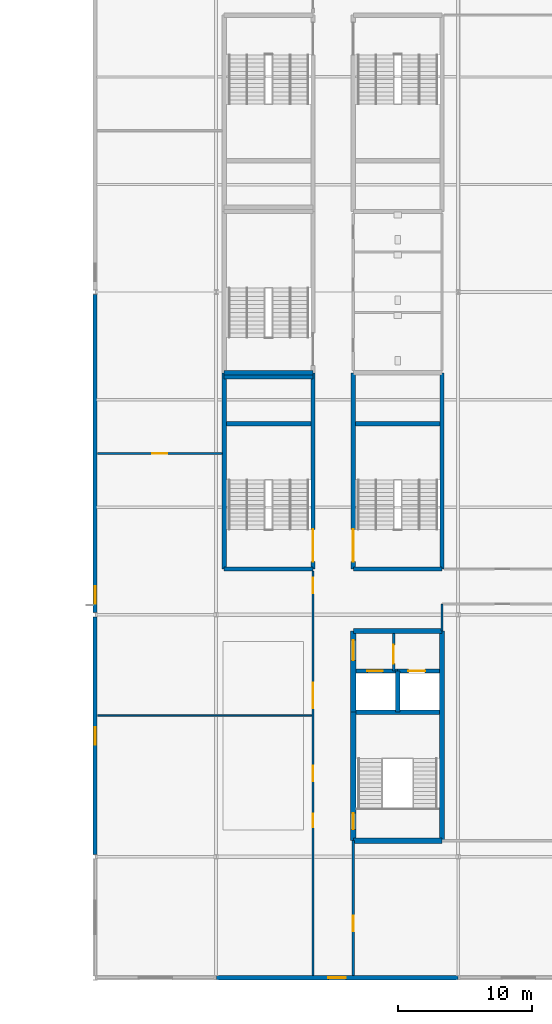
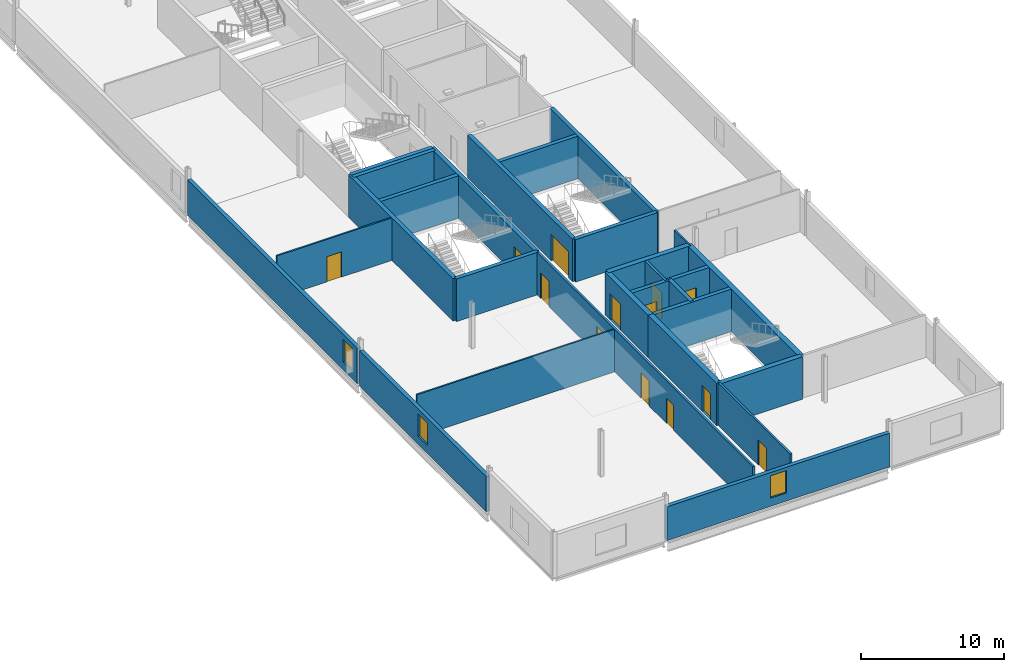
# One storey, part 18 of 31: 28 walls, 13 doors, 3 windows, 16 openings.
"""IFC4 building model written with IfcOpenShell, lengths in metres."""

from ifc_helpers import new_model, si_unit, direction, frame, frame_2d, origin, place, context, subcontext, project, spatial, rectangle, extrude, material, layer, layer_set, type_object, element, fill, save


model = new_model("IFC4")

# Units and contexts
model_context = context("Model", 3, precision=1e-05, world=origin(), true_north=direction((0.0, 1.0)))
body_context = subcontext(model_context, "Body", "Model", "MODEL_VIEW")
ifc_project = project(units=[si_unit("LENGTHUNIT", "METRE"), si_unit("AREAUNIT", "SQUARE_METRE"), si_unit("VOLUMEUNIT", "CUBIC_METRE"), si_unit("PLANEANGLEUNIT", "RADIAN"), si_unit("MASSUNIT", "GRAM", prefix="KILO")], contexts=[model_context])

# Site, building, storey
site_placement = place(None, origin())
site = spatial("IfcSite", under=ifc_project, at=site_placement, CompositionType="ELEMENT")
building_placement = place(site_placement, origin())
building = spatial("IfcBuilding", under=site, at=building_placement, Name="Kisiwana Market Hall", CompositionType="ELEMENT")
storey_placement = place(building_placement, frame((0.0, 0.0, 45.60009765625)))
storey = spatial("IfcBuildingStorey", under=building, at=storey_placement, Name="L10", CompositionType="ELEMENT", Elevation=45.60009765625)

# Wall, opening, door
ifc_material_1 = material(Name="Masonry blockwork", Category="masonry")
ifc_layer_1 = layer(ifc_material_1, 0.199951171875, Name="Plastered fire compartment block wall")
ifc_layer_set_1 = layer_set([ifc_layer_1], Name="WL-COMP-200")
wall_type_1 = type_object("IfcWallType", Name="WL-COMP-200", PredefinedType="PARTITIONING", material=ifc_layer_set_1)
wall_1_placement = place(storey_placement, frame((184.199951171875, 31.820068359375, 0.0), z_axis=(0.0, 0.0, 1.0), x_axis=(0.0, 1.0, 0.0)))
wall_1 = element("IfcWall", 1, at=wall_1_placement, inside=storey, type_object=wall_type_1, Name="Core E2 firefighting lobby wall W-2709", PredefinedType="PARTITIONING", context=body_context, shape_type="SweptSolid", body=[
    extrude(rectangle(XDim=2.780029296875, YDim=0.199951171875, at=frame_2d((1.39013671875, 0.0))), origin(), (0.0, 0.0, 1.0), 3.619873046875),
])
opening_1_placement = place(wall_1_placement, frame((0.550048828125, 0.0, 0.0)))
opening_1 = element("IfcOpeningElement", 2, at=opening_1_placement, cuts=wall_1, Name="Opening DR-L10-009", PredefinedType="OPENING", context=body_context, shape_type="SweptSolid", body=[
    extrude(rectangle(XDim=1.39990234375, YDim=2.25, at=frame_2d((0.699951171875, 1.125))), frame((0.0, 0.11181640625, 0.0), z_axis=(0.0, -1.0, 0.0), x_axis=(1.0, 0.0, 0.0)), (0.0, 0.0, 1.0), 0.223876953125),
])
ifc_material_2 = material(Name="Steel S275", Category="steel")
door_type_1 = type_object("IfcDoorType", Name="DR-FFLOB-FD120-1400", OperationType="DOUBLE_DOOR_SINGLE_SWING", PredefinedType="DOOR", material=ifc_material_2)
door_1_placement = place(opening_1_placement, origin())
door_1 = element("IfcDoor", 3, at=door_1_placement, inside=storey, type_object=door_type_1, Name="Firefighting Lift Lobby E2 Door (L10)", OperationType="DOUBLE_DOOR_SINGLE_SWING", OverallHeight=2.25, OverallWidth=1.39990234375, PredefinedType="DOOR", context=body_context, shape_type="SweptSolid", body=[
    extrude(rectangle(XDim=1.39990234375, YDim=2.25, at=frame_2d((0.699951171875, 1.125))), frame((0.0, 0.02490234375, 0.0), z_axis=(0.0, -1.0, 0.0), x_axis=(1.0, 0.0, 0.0)), (0.0, 0.0, 1.0), 0.050048828125),
])
fill(opening_1, door_1)

# Walls
ifc_material_3 = material(Name="Concrete C40/50", Category="concrete")
ifc_layer_2 = layer(ifc_material_3, 0.320068359375, Name="Reinforced concrete shaft wall")
ifc_layer_set_2 = layer_set([ifc_layer_2], Name="WL-CORE-320")
wall_type_2 = type_object("IfcWallType", Name="WL-CORE-320", PredefinedType="SHEAR", material=ifc_layer_set_2)
wall_2_placement = place(storey_placement, frame((181.39990234375, 28.760009765625, 0.0), z_axis=(0.0, 0.0, 1.0), x_axis=(1.0, 0.0, 0.0)))
element("IfcWall", 4, at=wall_2_placement, inside=storey, type_object=wall_type_2, Name="Core E2 shaft back shear wall W-2610", PredefinedType="SHEAR", context=body_context, shape_type="SweptSolid", body=[
    extrude(rectangle(XDim=6.2001953125, YDim=0.320068359375, at=frame_2d((3.10009765625, 0.0))), origin(), (0.0, 0.0, 1.0), 3.619873046875),
])
wall_3_placement = place(storey_placement, frame((184.5, 28.760009765625, 0.0), z_axis=(0.0, 0.0, 1.0), x_axis=(0.0, 1.0, 0.0)))
element("IfcWall", 5, at=wall_3_placement, inside=storey, type_object=wall_type_2, Name="Core E2 inter-shaft shear wall W-2611", PredefinedType="SHEAR", context=body_context, shape_type="SweptSolid", body=[
    extrude(rectangle(XDim=3.06005859375, YDim=0.320068359375, at=frame_2d((1.530029296875, 0.0))), origin(), (0.0, 0.0, 1.0), 3.619873046875),
])

# Wall, opening, door
wall_4_placement = place(storey_placement, frame((181.39990234375, 31.820068359375, 0.0), z_axis=(0.0, 0.0, 1.0), x_axis=(1.0, 0.0, 0.0)))
wall_4 = element("IfcWall", 6, at=wall_4_placement, inside=storey, type_object=wall_type_2, Name="Core E2 west lift front wall W-2612", PredefinedType="SHEAR", context=body_context, shape_type="SweptSolid", body=[
    extrude(rectangle(XDim=3.10009765625, YDim=0.320068359375, at=frame_2d((1.550048828125, 0.0))), origin(), (0.0, 0.0, 1.0), 3.619873046875),
])
opening_2_placement = place(wall_4_placement, frame((0.85009765625, 0.0, 0.0)))
opening_2 = element("IfcOpeningElement", 7, at=opening_2_placement, cuts=wall_4, Name="Opening LD-L10-005", PredefinedType="OPENING", context=body_context, shape_type="SweptSolid", body=[
    extrude(rectangle(XDim=1.14990234375, YDim=2.199951171875, at=frame_2d((0.574951171875, 1.10009765625))), frame((0.0, 0.171875, 0.0), z_axis=(0.0, -1.0, 0.0), x_axis=(1.0, 0.0, 0.0)), (0.0, 0.0, 1.0), 0.343994140625),
])
ifc_material_4 = material(Name="Steel S275", Category="steel")
door_type_2 = type_object("IfcDoorType", Name="DR-LIFT-PAX-1150", OperationType="DOUBLE_DOOR_SLIDING", PredefinedType="DOOR", material=ifc_material_4)
door_2_placement = place(opening_2_placement, origin())
door_2 = element("IfcDoor", 8, at=door_2_placement, inside=storey, type_object=door_type_2, Name="Lift Landing Door LP-03 (L10)", OperationType="DOUBLE_DOOR_SLIDING", OverallHeight=2.199951171875, OverallWidth=1.14990234375, PredefinedType="DOOR", context=body_context, shape_type="SweptSolid", body=[
    extrude(rectangle(XDim=1.14990234375, YDim=2.199951171875, at=frame_2d((0.574951171875, 1.10009765625))), frame((0.0, 0.02490234375, 0.0), z_axis=(0.0, -1.0, 0.0), x_axis=(1.0, 0.0, 0.0)), (0.0, 0.0, 1.0), 0.050048828125),
])
fill(opening_2, door_2)

wall_5_placement = place(storey_placement, frame((184.5, 31.820068359375, 0.0), z_axis=(0.0, 0.0, 1.0), x_axis=(1.0, 0.0, 0.0)))
wall_5 = element("IfcWall", 9, at=wall_5_placement, inside=storey, type_object=wall_type_2, Name="Core E2 east lift front wall W-2613", PredefinedType="SHEAR", context=body_context, shape_type="SweptSolid", body=[
    extrude(rectangle(XDim=3.10009765625, YDim=0.320068359375, at=frame_2d((1.550048828125, 0.0))), origin(), (0.0, 0.0, 1.0), 3.619873046875),
])
opening_3_placement = place(wall_5_placement, frame((0.800048828125, 0.0, 0.0)))
opening_3 = element("IfcOpeningElement", 10, at=opening_3_placement, cuts=wall_5, Name="Opening LD-L10-006", PredefinedType="OPENING", context=body_context, shape_type="SweptSolid", body=[
    extrude(rectangle(XDim=1.25, YDim=2.25, at=frame_2d((0.625, 1.125))), frame((0.0, 0.171875, 0.0), z_axis=(0.0, -1.0, 0.0), x_axis=(1.0, 0.0, 0.0)), (0.0, 0.0, 1.0), 0.343994140625),
])
ifc_material_5 = material(Name="Steel S275", Category="steel")
door_type_3 = type_object("IfcDoorType", Name="DR-LIFT-FFL-1250", OperationType="DOUBLE_DOOR_SLIDING", PredefinedType="DOOR", material=ifc_material_5)
door_3_placement = place(opening_3_placement, origin())
door_3 = element("IfcDoor", 11, at=door_3_placement, inside=storey, type_object=door_type_3, Name="Lift Landing Door FFL-03 (L10)", OperationType="DOUBLE_DOOR_SLIDING", OverallHeight=2.25, OverallWidth=1.25, PredefinedType="DOOR", context=body_context, shape_type="SweptSolid", body=[
    extrude(rectangle(XDim=1.25, YDim=2.25, at=frame_2d((0.625, 1.125))), frame((0.0, 0.02490234375, 0.0), z_axis=(0.0, -1.0, 0.0), x_axis=(1.0, 0.0, 0.0)), (0.0, 0.0, 1.0), 0.050048828125),
])
fill(opening_3, door_3)

# Wall
wall_6_placement = place(storey_placement, frame((181.199951171875, 39.39990234375, 0.0), z_axis=(0.0, 0.0, 1.0), x_axis=(1.0, 0.0, 0.0)))
element("IfcWall", 12, at=wall_6_placement, inside=storey, type_object=wall_type_2, Name="Core E3 south shear wall W-2633", PredefinedType="SHEAR", context=body_context, shape_type="SweptSolid", body=[
    extrude(rectangle(XDim=6.60009765625, YDim=0.320068359375, at=frame_2d((3.300048828125, 0.0))), origin(), (0.0, 0.0, 1.0), 3.619873046875),
])

# Wall, opening, door
wall_7_placement = place(storey_placement, frame((181.199951171875, 39.39990234375, 0.0), z_axis=(0.0, 0.0, 1.0), x_axis=(0.0, 1.0, 0.0)))
wall_7 = element("IfcWall", 13, at=wall_7_placement, inside=storey, type_object=wall_type_2, Name="Core E3 corridor shear wall W-2635", PredefinedType="SHEAR", context=body_context, shape_type="SweptSolid", body=[
    extrude(rectangle(XDim=14.60009765625, YDim=0.320068359375, at=frame_2d((7.300048828125, 0.0))), origin(), (0.0, 0.0, 1.0), 3.619873046875),
])
opening_4_placement = place(wall_7_placement, frame((0.550048828125, 0.0, 0.0)))
opening_4 = element("IfcOpeningElement", 14, at=opening_4_placement, cuts=wall_7, Name="Opening DR-L10-015", PredefinedType="OPENING", context=body_context, shape_type="SweptSolid", body=[
    extrude(rectangle(XDim=2.39990234375, YDim=2.25, at=frame_2d((1.199951171875, 1.125))), frame((0.0, 0.171875, 0.0), z_axis=(0.0, -1.0, 0.0), x_axis=(1.0, 0.0, 0.0)), (0.0, 0.0, 1.0), 0.343994140625),
])
ifc_material_6 = material(Name="Steel S275", Category="steel")
door_type_4 = type_object("IfcDoorType", Name="DR-STAIR-FD120-2400", OperationType="DOUBLE_DOOR_SINGLE_SWING", PredefinedType="DOOR", material=ifc_material_6)
door_4_placement = place(opening_4_placement, frame((2.39990234375, 0.0, 0.0), z_axis=(0.0, 0.0, 1.0), x_axis=(-1.0, 0.0, 0.0)))
door_4 = element("IfcDoor", 15, at=door_4_placement, inside=storey, type_object=door_type_4, Name="Escape Stair E3 Fire Door (L10)", OperationType="DOUBLE_DOOR_SINGLE_SWING", OverallHeight=2.25, OverallWidth=2.39990234375, PredefinedType="DOOR", context=body_context, shape_type="SweptSolid", body=[
    extrude(rectangle(XDim=2.39990234375, YDim=2.25, at=frame_2d((1.199951171875, 1.125))), frame((0.0, 0.02490234375, 0.0), z_axis=(0.0, -1.0, 0.0), x_axis=(1.0, 0.0, 0.0)), (0.0, 0.0, 1.0), 0.050048828125),
])
fill(opening_4, door_4)

# Walls
wall_8_placement = place(storey_placement, frame((187.800048828125, 39.39990234375, 0.0), z_axis=(0.0, 0.0, 1.0), x_axis=(0.0, 1.0, 0.0)))
element("IfcWall", 16, at=wall_8_placement, inside=storey, type_object=wall_type_2, Name="Core E3 outer shear wall W-2636", PredefinedType="SHEAR", context=body_context, shape_type="SweptSolid", body=[
    extrude(rectangle(XDim=14.60009765625, YDim=0.320068359375, at=frame_2d((7.300048828125, 0.0))), origin(), (0.0, 0.0, 1.0), 3.619873046875),
])
wall_9_placement = place(storey_placement, frame((181.360107421875, 50.219970703125, 0.0), z_axis=(0.0, 0.0, 1.0), x_axis=(1.0, 0.0, 0.0)))
element("IfcWall", 17, at=wall_9_placement, inside=storey, type_object=wall_type_2, Name="Core E3 riser divider shear wall W-2637", PredefinedType="SHEAR", context=body_context, shape_type="SweptSolid", body=[
    extrude(rectangle(XDim=6.27978515625, YDim=0.320068359375, at=frame_2d((3.139892578125, 0.0))), origin(), (0.0, 0.0, 1.0), 3.619873046875),
])
for number, where, z_axis, x_axis, name in (
    (18, (171.60009765625, 39.39990234375, 0.0), (0.0, 0.0, 1.0), (1.0, 0.0, 0.0), "Core E7 south shear wall W-2648"),
    (19, (171.60009765625, 54.0, 0.0), (0.0, 0.0, 1.0), (1.0, 0.0, 0.0), "Core E7 north shear wall W-2649"),
):
    element("IfcWall", number, at=place(storey_placement, frame(where, z_axis=z_axis, x_axis=x_axis)), inside=storey, type_object=wall_type_2, Name=name, PredefinedType="SHEAR", context=body_context, shape_type="SweptSolid", body=[
        extrude(rectangle(XDim=6.599853515625, YDim=0.320068359375, at=frame_2d((3.2998046875, 0.0))), origin(), (0.0, 0.0, 1.0), 3.619873046875),
    ])
wall_10_placement = place(storey_placement, frame((171.60009765625, 39.39990234375, 0.0), z_axis=(0.0, 0.0, 1.0), x_axis=(0.0, 1.0, 0.0)))
element("IfcWall", 20, at=wall_10_placement, inside=storey, type_object=wall_type_2, Name="Core E7 outer shear wall W-2650", PredefinedType="SHEAR", context=body_context, shape_type="SweptSolid", body=[
    extrude(rectangle(XDim=14.60009765625, YDim=0.320068359375, at=frame_2d((7.300048828125, 0.0))), origin(), (0.0, 0.0, 1.0), 3.619873046875),
])

# Wall, opening, door
wall_11_placement = place(storey_placement, frame((178.199951171875, 39.39990234375, 0.0), z_axis=(0.0, 0.0, 1.0), x_axis=(0.0, 1.0, 0.0)))
wall_11 = element("IfcWall", 21, at=wall_11_placement, inside=storey, type_object=wall_type_2, Name="Core E7 corridor shear wall W-2651", PredefinedType="SHEAR", context=body_context, shape_type="SweptSolid", body=[
    extrude(rectangle(XDim=14.60009765625, YDim=0.320068359375, at=frame_2d((7.300048828125, 0.0))), origin(), (0.0, 0.0, 1.0), 3.619873046875),
])
opening_5_placement = place(wall_11_placement, frame((0.550048828125, 0.0, 0.0)))
opening_5 = element("IfcOpeningElement", 22, at=opening_5_placement, cuts=wall_11, Name="Opening DR-L10-018", PredefinedType="OPENING", context=body_context, shape_type="SweptSolid", body=[
    extrude(rectangle(XDim=2.39990234375, YDim=2.25, at=frame_2d((1.199951171875, 1.125))), frame((0.0, 0.171875, 0.0), z_axis=(0.0, -1.0, 0.0), x_axis=(1.0, 0.0, 0.0)), (0.0, 0.0, 1.0), 0.343994140625),
])
door_5_placement = place(opening_5_placement, origin())
door_5 = element("IfcDoor", 23, at=door_5_placement, inside=storey, type_object=door_type_4, Name="Escape Stair E7 Fire Door (L10)", OperationType="DOUBLE_DOOR_SINGLE_SWING", OverallHeight=2.25, OverallWidth=2.39990234375, PredefinedType="DOOR", context=body_context, shape_type="SweptSolid", body=[
    extrude(rectangle(XDim=2.39990234375, YDim=2.25, at=frame_2d((1.199951171875, 1.125))), frame((0.0, 0.02490234375, 0.0), z_axis=(0.0, -1.0, 0.0), x_axis=(1.0, 0.0, 0.0)), (0.0, 0.0, 1.0), 0.050048828125),
])
fill(opening_5, door_5)

# Walls
wall_12_placement = place(storey_placement, frame((171.760009765625, 50.219970703125, 0.0), z_axis=(0.0, 0.0, 1.0), x_axis=(1.0, 0.0, 0.0)))
element("IfcWall", 24, at=wall_12_placement, inside=storey, type_object=wall_type_2, Name="Core E7 riser divider shear wall W-2652", PredefinedType="SHEAR", context=body_context, shape_type="SweptSolid", body=[
    extrude(rectangle(XDim=6.280029296875, YDim=0.320068359375, at=frame_2d((3.14013671875, 0.0))), origin(), (0.0, 0.0, 1.0), 3.619873046875),
])
wall_13_placement = place(storey_placement, frame((171.60009765625, 53.679931640625, 0.0), z_axis=(0.0, 0.0, 1.0), x_axis=(1.0, 0.0, 0.0)))
element("IfcWall", 25, at=wall_13_placement, inside=storey, type_object=wall_type_2, Name="Core E5 south shear wall W-2667", PredefinedType="SHEAR", context=body_context, shape_type="SweptSolid", body=[
    extrude(rectangle(XDim=6.599853515625, YDim=0.320068359375, at=frame_2d((3.2998046875, 0.0))), origin(), (0.0, 0.0, 1.0), 3.619873046875),
])
ifc_material_7 = material(Name="Concrete C40/50", Category="concrete")
ifc_layer_3 = layer(ifc_material_7, 0.39990234375, Name="Reinforced concrete core wall")
ifc_layer_set_3 = layer_set([ifc_layer_3], Name="WL-CORE-400")
wall_type_3 = type_object("IfcWallType", Name="WL-CORE-400", PredefinedType="SHEAR", material=ifc_layer_set_3)
for number, where, z_axis, x_axis, name in (
    (26, (181.199951171875, 19.199951171875, 0.0), (0.0, 0.0, 1.0), (1.0, 0.0, 0.0), "Core E2 south shear wall W-2605"),
    (27, (181.199951171875, 34.800048828125, 0.0), (0.0, 0.0, 1.0), (1.0, 0.0, 0.0), "Core E2 north shear wall W-2606"),
):
    element("IfcWall", number, at=place(storey_placement, frame(where, z_axis=z_axis, x_axis=x_axis)), inside=storey, type_object=wall_type_3, Name=name, PredefinedType="SHEAR", context=body_context, shape_type="SweptSolid", body=[
        extrude(rectangle(XDim=6.60009765625, YDim=0.39990234375, at=frame_2d((3.300048828125, 0.0))), origin(), (0.0, 0.0, 1.0), 3.619873046875),
    ])
wall_14_placement = place(storey_placement, frame((187.800048828125, 19.199951171875, 0.0), z_axis=(0.0, 0.0, 1.0), x_axis=(0.0, 1.0, 0.0)))
element("IfcWall", 28, at=wall_14_placement, inside=storey, type_object=wall_type_3, Name="Core E2 outer shear wall W-2607", PredefinedType="SHEAR", context=body_context, shape_type="SweptSolid", body=[
    extrude(rectangle(XDim=15.60009765625, YDim=0.39990234375, at=frame_2d((7.800048828125, 0.0))), origin(), (0.0, 0.0, 1.0), 3.619873046875),
])

# Wall, opening, door
wall_15_placement = place(storey_placement, frame((181.199951171875, 19.199951171875, 0.0), z_axis=(0.0, 0.0, 1.0), x_axis=(0.0, 1.0, 0.0)))
wall_15 = element("IfcWall", 29, at=wall_15_placement, inside=storey, type_object=wall_type_3, Name="Core E2 stair corridor shear wall W-2608", PredefinedType="SHEAR", context=body_context, shape_type="SweptSolid", body=[
    extrude(rectangle(XDim=9.56005859375, YDim=0.39990234375, at=frame_2d((4.780029296875, 0.0))), origin(), (0.0, 0.0, 1.0), 3.619873046875),
])
opening_6_placement = place(wall_15_placement, frame((0.85009765625, 0.0, 0.0)))
opening_6 = element("IfcOpeningElement", 30, at=opening_6_placement, cuts=wall_15, Name="Opening DR-L10-007", PredefinedType="OPENING", context=body_context, shape_type="SweptSolid", body=[
    extrude(rectangle(XDim=1.199951171875, YDim=2.199951171875, at=frame_2d((0.60009765625, 1.10009765625))), frame((0.0, 0.2119140625, 0.0), z_axis=(0.0, -1.0, 0.0), x_axis=(1.0, 0.0, 0.0)), (0.0, 0.0, 1.0), 0.423828125),
])
ifc_material_8 = material(Name="Steel S275", Category="steel")
door_type_5 = type_object("IfcDoorType", Name="DR-STAIR-FD120-1200", OperationType="NOTDEFINED", PredefinedType="DOOR", material=ifc_material_8)
door_6_placement = place(opening_6_placement, frame((1.199951171875, 0.0, 0.0), z_axis=(0.0, 0.0, 1.0), x_axis=(-1.0, 0.0, 0.0)))
door_6 = element("IfcDoor", 31, at=door_6_placement, inside=storey, type_object=door_type_5, Name="Escape Stair E2 Fire Door (L10)", OperationType="SINGLE_SWING_RIGHT", OverallHeight=2.199951171875, OverallWidth=1.199951171875, PredefinedType="DOOR", context=body_context, shape_type="SweptSolid", body=[
    extrude(rectangle(XDim=1.199951171875, YDim=2.199951171875, at=frame_2d((0.60009765625, 1.10009765625))), frame((0.0, 0.02490234375, 0.0), z_axis=(0.0, -1.0, 0.0), x_axis=(1.0, 0.0, 0.0)), (0.0, 0.0, 1.0), 0.050048828125),
])
fill(opening_6, door_6)

wall_16_placement = place(storey_placement, frame((181.199951171875, 28.760009765625, 0.0), z_axis=(0.0, 0.0, 1.0), x_axis=(0.0, 1.0, 0.0)))
wall_16 = element("IfcWall", 32, at=wall_16_placement, inside=storey, type_object=wall_type_3, Name="Core E2 lobby corridor shear wall W-2609", PredefinedType="SHEAR", context=body_context, shape_type="SweptSolid", body=[
    extrude(rectangle(XDim=6.0400390625, YDim=0.39990234375, at=frame_2d((3.02001953125, 0.0))), origin(), (0.0, 0.0, 1.0), 3.619873046875),
])
opening_7_placement = place(wall_16_placement, frame((3.85009765625, 0.0, 0.0)))
opening_7 = element("IfcOpeningElement", 33, at=opening_7_placement, cuts=wall_16, Name="Opening DR-L10-008", PredefinedType="OPENING", context=body_context, shape_type="SweptSolid", body=[
    extrude(rectangle(XDim=1.5, YDim=2.199951171875, at=frame_2d((0.75, 1.10009765625))), frame((0.0, 0.2119140625, 0.0), z_axis=(0.0, -1.0, 0.0), x_axis=(1.0, 0.0, 0.0)), (0.0, 0.0, 1.0), 0.423828125),
])
ifc_material_9 = material(Name="Steel S275", Category="steel")
door_type_6 = type_object("IfcDoorType", Name="DR-CORR-FD60-1500", OperationType="DOUBLE_DOOR_SINGLE_SWING", PredefinedType="DOOR", material=ifc_material_9)
door_7_placement = place(opening_7_placement, origin())
door_7 = element("IfcDoor", 34, at=door_7_placement, inside=storey, type_object=door_type_6, Name="Passenger Lift Lobby E2 Smoke Door (L10)", OperationType="DOUBLE_DOOR_SINGLE_SWING", OverallHeight=2.199951171875, OverallWidth=1.5, PredefinedType="DOOR", context=body_context, shape_type="SweptSolid", body=[
    extrude(rectangle(XDim=1.5, YDim=2.199951171875, at=frame_2d((0.75, 1.10009765625))), frame((0.0, 0.02490234375, 0.0), z_axis=(0.0, -1.0, 0.0), x_axis=(1.0, 0.0, 0.0)), (0.0, 0.0, 1.0), 0.050048828125),
])
fill(opening_7, door_7)

ifc_material_10 = material(Name="Masonry blockwork", Category="masonry")
ifc_layer_4 = layer(ifc_material_10, 0.169921875, Name="Protected corridor partition")
ifc_layer_set_4 = layer_set([ifc_layer_4], Name="WL-CORR-170")
wall_type_4 = type_object("IfcWallType", Name="WL-CORR-170", PredefinedType="PARTITIONING", material=ifc_layer_set_4)
wall_17_placement = place(storey_placement, frame((181.199951171875, 9.1826171875, 0.0), z_axis=(0.0, 0.0, 1.0), x_axis=(0.0, 1.0, 0.0)))
wall_17 = element("IfcWall", 35, at=wall_17_placement, inside=storey, type_object=wall_type_4, Name="Interior partition W-2743", PredefinedType="PARTITIONING", context=body_context, shape_type="SweptSolid", body=[
    extrude(rectangle(XDim=10.017333984375, YDim=0.169921875, at=frame_2d((5.0087890625, 0.0))), origin(), (0.0, 0.0, 1.0), 3.619873046875),
])
opening_8_placement = place(wall_17_placement, frame((3.300048828125, 0.0, 0.0)))
opening_8 = element("IfcOpeningElement", 36, at=opening_8_placement, cuts=wall_17, Name="Opening DR-L10-045", PredefinedType="OPENING", context=body_context, shape_type="SweptSolid", body=[
    extrude(rectangle(XDim=1.14990234375, YDim=2.14990234375, at=frame_2d((0.574951171875, 1.074951171875))), frame((0.0, 0.096923828125, 0.0), z_axis=(0.0, -1.0, 0.0), x_axis=(1.0, 0.0, 0.0)), (0.0, 0.0, 1.0), 0.19384765625),
])
ifc_material_11 = material(Name="Aluminium alloy 6063-T6", Category="aluminium")
door_type_7 = type_object("IfcDoorType", Name="DR-MEET-1150", OperationType="NOTDEFINED", PredefinedType="DOOR", material=ifc_material_11)
door_8_placement = place(opening_8_placement, frame((1.14990234375, 0.0, 0.0), z_axis=(0.0, 0.0, 1.0), x_axis=(-1.0, 0.0, 0.0)))
door_8 = element("IfcDoor", 37, at=door_8_placement, inside=storey, type_object=door_type_7, Name="L10 E Corner Office Suite South Door", OperationType="SINGLE_SWING_RIGHT", OverallHeight=2.14990234375, OverallWidth=1.14990234375, PredefinedType="DOOR", context=body_context, shape_type="SweptSolid", body=[
    extrude(rectangle(XDim=1.14990234375, YDim=2.14990234375, at=frame_2d((0.574951171875, 1.074951171875))), frame((0.0, 0.02490234375, 0.0), z_axis=(0.0, -1.0, 0.0), x_axis=(1.0, 0.0, 0.0)), (0.0, 0.0, 1.0), 0.050048828125),
])
fill(opening_8, door_8)

# Wall, openings, doors
wall_18_placement = place(storey_placement, frame((178.199951171875, 9.1826171875, 0.0), z_axis=(0.0, 0.0, 1.0), x_axis=(0.0, 1.0, 0.0)))
wall_18 = element("IfcWall", 38, at=wall_18_placement, inside=storey, type_object=wall_type_4, Name="Interior partition W-2749", PredefinedType="PARTITIONING", context=body_context, shape_type="SweptSolid", body=[
    extrude(rectangle(XDim=30.057373046875, YDim=0.169921875, at=frame_2d((15.02880859375, 0.0))), origin(), (0.0, 0.0, 1.0), 3.619873046875),
])
opening_9_placement = place(wall_18_placement, frame((11.028076171875, 0.0, 0.0)))
opening_9 = element("IfcOpeningElement", 39, at=opening_9_placement, cuts=wall_18, Name="Opening DR-L10-048", PredefinedType="OPENING", context=body_context, shape_type="SweptSolid", body=[
    extrude(rectangle(XDim=1.0, YDim=2.14990234375, at=frame_2d((0.5, 1.074951171875))), frame((0.0, 0.096923828125, 0.0), z_axis=(0.0, -1.0, 0.0), x_axis=(1.0, 0.0, 0.0)), (0.0, 0.0, 1.0), 0.19384765625),
])
opening_10_placement = place(wall_18_placement, frame((28.427978515625, 0.0, 0.0)))
opening_10 = element("IfcOpeningElement", 40, at=opening_10_placement, cuts=wall_18, Name="Opening DR-L10-049", PredefinedType="OPENING", context=body_context, shape_type="SweptSolid", body=[
    extrude(rectangle(XDim=1.14990234375, YDim=2.14990234375, at=frame_2d((0.574951171875, 1.074951171875))), frame((0.0, 0.096923828125, 0.0), z_axis=(0.0, -1.0, 0.0), x_axis=(1.0, 0.0, 0.0)), (0.0, 0.0, 1.0), 0.19384765625),
])
opening_11_placement = place(wall_18_placement, frame((14.4541015625, 0.0, 0.0)))
opening_11 = element("IfcOpeningElement", 41, at=opening_11_placement, cuts=wall_18, Name="Opening DR-L10-050", PredefinedType="OPENING", context=body_context, shape_type="SweptSolid", body=[
    extrude(rectangle(XDim=1.14990234375, YDim=2.14990234375, at=frame_2d((0.574951171875, 1.074951171875))), frame((0.0, 0.096923828125, 0.0), z_axis=(0.0, -1.0, 0.0), x_axis=(1.0, 0.0, 0.0)), (0.0, 0.0, 1.0), 0.19384765625),
])
opening_12_placement = place(wall_18_placement, frame((19.867919921875, 0.0, 0.0)))
opening_12 = element("IfcOpeningElement", 42, at=opening_12_placement, cuts=wall_18, Name="Opening DR-L10-051", PredefinedType="OPENING", context=body_context, shape_type="SweptSolid", body=[
    extrude(rectangle(XDim=1.89990234375, YDim=2.35009765625, at=frame_2d((0.949951171875, 1.175048828125))), frame((0.0, 0.096923828125, 0.0), z_axis=(0.0, -1.0, 0.0), x_axis=(1.0, 0.0, 0.0)), (0.0, 0.0, 1.0), 0.19384765625),
])
ifc_material_12 = material(Name="Steel S275", Category="steel")
door_type_8 = type_object("IfcDoorType", Name="DR-HALL-1900", OperationType="DOUBLE_DOOR_SINGLE_SWING", PredefinedType="DOOR", material=ifc_material_12)
door_9_placement = place(opening_12_placement, origin())
door_9 = element("IfcDoor", 43, at=door_9_placement, inside=storey, type_object=door_type_8, Name="L10 E Boardroom Suite M2 Exit Door", OperationType="DOUBLE_DOOR_SINGLE_SWING", OverallHeight=2.35009765625, OverallWidth=1.89990234375, PredefinedType="DOOR", context=body_context, shape_type="SweptSolid", body=[
    extrude(rectangle(XDim=1.89990234375, YDim=2.35009765625, at=frame_2d((0.949951171875, 1.175048828125))), frame((0.0, 0.02490234375, 0.0), z_axis=(0.0, -1.0, 0.0), x_axis=(1.0, 0.0, 0.0)), (0.0, 0.0, 1.0), 0.050048828125),
])
fill(opening_12, door_9)
door_10_placement = place(opening_10_placement, origin())
door_10 = element("IfcDoor", 44, at=door_10_placement, inside=storey, type_object=door_type_7, Name="L10 E Boardroom Suite M2 Door", OperationType="SINGLE_SWING_RIGHT", OverallHeight=2.14990234375, OverallWidth=1.14990234375, PredefinedType="DOOR", context=body_context, shape_type="SweptSolid", body=[
    extrude(rectangle(XDim=1.14990234375, YDim=2.14990234375, at=frame_2d((0.574951171875, 1.074951171875))), frame((0.0, 0.02490234375, 0.0), z_axis=(0.0, -1.0, 0.0), x_axis=(1.0, 0.0, 0.0)), (0.0, 0.0, 1.0), 0.050048828125),
])
fill(opening_10, door_10)
door_11_placement = place(opening_11_placement, origin())
door_11 = element("IfcDoor", 45, at=door_11_placement, inside=storey, type_object=door_type_7, Name="L10 E Engineering Design Studio M3 Door", OperationType="SINGLE_SWING_LEFT", OverallHeight=2.14990234375, OverallWidth=1.14990234375, PredefinedType="DOOR", context=body_context, shape_type="SweptSolid", body=[
    extrude(rectangle(XDim=1.14990234375, YDim=2.14990234375, at=frame_2d((0.574951171875, 1.074951171875))), frame((0.0, 0.02490234375, 0.0), z_axis=(0.0, -1.0, 0.0), x_axis=(1.0, 0.0, 0.0)), (0.0, 0.0, 1.0), 0.050048828125),
])
fill(opening_11, door_11)
ifc_material_13 = material(Name="Aluminium alloy 6063-T6", Category="aluminium")
door_type_9 = type_object("IfcDoorType", Name="DR-OFF-1000", OperationType="NOTDEFINED", PredefinedType="DOOR", material=ifc_material_13)
door_12_placement = place(opening_9_placement, origin())
door_12 = element("IfcDoor", 46, at=door_12_placement, inside=storey, type_object=door_type_9, Name="L10 E Mid-Rise Office Suite M1 Door", OperationType="SINGLE_SWING_LEFT", OverallHeight=2.14990234375, OverallWidth=1.0, PredefinedType="DOOR", context=body_context, shape_type="SweptSolid", body=[
    extrude(rectangle(XDim=1.0, YDim=2.14990234375, at=frame_2d((0.5, 1.074951171875))), frame((0.0, 0.02490234375, 0.0), z_axis=(0.0, -1.0, 0.0), x_axis=(1.0, 0.0, 0.0)), (0.0, 0.0, 1.0), 0.050048828125),
])
fill(opening_9, door_12)

# Wall, opening, window
ifc_material_14 = material(Name="Concrete C40/50 precast", Category="concrete")
ifc_layer_5 = layer(ifc_material_14, 0.31494140625)
ifc_layer_set_5 = layer_set([ifc_layer_5], Name="WL-EXT-315")
wall_type_5 = type_object("IfcWallType", Name="WL-EXT-315", PredefinedType="STANDARD", material=ifc_layer_set_5)
wall_19_placement = place(storey_placement, frame((171.010009765625, 9.0, 0.0), z_axis=(0.0, 0.0, 1.0), x_axis=(1.0, 0.0, 0.0)))
wall_19 = element("IfcWall", 47, at=wall_19_placement, inside=storey, type_object=wall_type_5, Name="Exterior wall W-2675", PredefinedType="STANDARD", context=body_context, shape_type="SweptSolid", body=[
    extrude(rectangle(XDim=17.97998046875, YDim=0.31494140625, at=frame_2d((8.989990234375, 0.0))), origin(), (0.0, 0.0, 1.0), 2.879638671875),
])
opening_13_placement = place(wall_19_placement, frame((8.340087890625, 0.0, 0.699951171875)))
opening_13 = element("IfcOpeningElement", 48, at=opening_13_placement, cuts=wall_19, Name="Opening WN-08", PredefinedType="OPENING", context=body_context, shape_type="SweptSolid", body=[
    extrude(rectangle(XDim=1.300048828125, YDim=1.89990234375, at=frame_2d((0.64990234375, 0.949951171875))), frame((0.0, 0.16943359375, 0.0), z_axis=(0.0, -1.0, 0.0), x_axis=(1.0, 0.0, 0.0)), (0.0, 0.0, 1.0), 0.3388671875),
])
ifc_material_15 = material(Name="Double-glazed solar-control low-E IGU", Category="glass")
window_type = type_object("IfcWindowType", Name="WN-OFFB-1300x1900", PartitioningType="SINGLE_PANEL", PredefinedType="WINDOW", material=ifc_material_15)
window_1_placement = place(opening_13_placement, origin())
window_1 = element("IfcWindow", 49, at=window_1_placement, inside=storey, type_object=window_type, Name="Exterior window WN-295", OverallHeight=1.89990234375, OverallWidth=1.300048828125, PartitioningType="SINGLE_PANEL", PredefinedType="WINDOW", context=body_context, shape_type="SweptSolid", body=[
    extrude(rectangle(XDim=1.300048828125, YDim=1.89990234375, at=frame_2d((0.64990234375, 0.949951171875))), frame((0.0, 0.030029296875, 0.0), z_axis=(0.0, -1.0, 0.0), x_axis=(1.0, 0.0, 0.0)), (0.0, 0.0, 1.0), 0.06005859375),
])
fill(opening_13, window_1)

wall_20_placement = place(storey_placement, frame((162.0, 18.15966796875, 0.0), z_axis=(0.0, 0.0, 1.0), x_axis=(0.0, 1.0, 0.0)))
wall_20 = element("IfcWall", 50, at=wall_20_placement, inside=storey, type_object=wall_type_5, Name="Exterior wall W-2696", PredefinedType="STANDARD", context=body_context, shape_type="SweptSolid", body=[
    extrude(rectangle(XDim=17.680419921875, YDim=0.31494140625, at=frame_2d((8.84033203125, 0.0))), origin(), (0.0, 0.0, 1.0), 3.0078125),
])
opening_14_placement = place(wall_20_placement, frame((8.190185546875, 0.0, 0.699951171875)))
opening_14 = element("IfcOpeningElement", 51, at=opening_14_placement, cuts=wall_20, Name="Opening WN-08", PredefinedType="OPENING", context=body_context, shape_type="SweptSolid", body=[
    extrude(rectangle(XDim=1.300048828125, YDim=1.89990234375, at=frame_2d((0.64990234375, 0.949951171875))), frame((0.0, 0.16943359375, 0.0), z_axis=(0.0, -1.0, 0.0), x_axis=(1.0, 0.0, 0.0)), (0.0, 0.0, 1.0), 0.3388671875),
])
window_2_placement = place(opening_14_placement, origin())
window_2 = element("IfcWindow", 52, at=window_2_placement, inside=storey, type_object=window_type, Name="Exterior window WN-306", OverallHeight=1.89990234375, OverallWidth=1.300048828125, PartitioningType="SINGLE_PANEL", PredefinedType="WINDOW", context=body_context, shape_type="SweptSolid", body=[
    extrude(rectangle(XDim=1.300048828125, YDim=1.89990234375, at=frame_2d((0.64990234375, 0.949951171875))), frame((0.0, 0.030029296875, 0.0), z_axis=(0.0, -1.0, 0.0), x_axis=(1.0, 0.0, 0.0)), (0.0, 0.0, 1.0), 0.06005859375),
])
fill(opening_14, window_2)

wall_21_placement = place(storey_placement, frame((162.0, 36.159912109375, 0.0), z_axis=(0.0, 0.0, 1.0), x_axis=(0.0, 1.0, 0.0)))
wall_21 = element("IfcWall", 53, at=wall_21_placement, inside=storey, type_object=wall_type_5, Name="Exterior wall W-2697", PredefinedType="STANDARD", context=body_context, shape_type="SweptSolid", body=[
    extrude(rectangle(XDim=23.68017578125, YDim=0.31494140625, at=frame_2d((11.840087890625, 0.0))), origin(), (0.0, 0.0, 1.0), 3.0078125),
])
opening_15_placement = place(wall_21_placement, frame((0.64990234375, 0.0, 0.699951171875)))
opening_15 = element("IfcOpeningElement", 54, at=opening_15_placement, cuts=wall_21, Name="Opening WN-08", PredefinedType="OPENING", context=body_context, shape_type="SweptSolid", body=[
    extrude(rectangle(XDim=1.300048828125, YDim=1.89990234375, at=frame_2d((0.64990234375, 0.949951171875))), frame((0.0, 0.16943359375, 0.0), z_axis=(0.0, -1.0, 0.0), x_axis=(1.0, 0.0, 0.0)), (0.0, 0.0, 1.0), 0.3388671875),
])
window_3_placement = place(opening_15_placement, origin())
window_3 = element("IfcWindow", 55, at=window_3_placement, inside=storey, type_object=window_type, Name="Exterior window WN-307", OverallHeight=1.89990234375, OverallWidth=1.300048828125, PartitioningType="SINGLE_PANEL", PredefinedType="WINDOW", context=body_context, shape_type="SweptSolid", body=[
    extrude(rectangle(XDim=1.300048828125, YDim=1.89990234375, at=frame_2d((0.64990234375, 0.949951171875))), frame((0.0, 0.030029296875, 0.0), z_axis=(0.0, -1.0, 0.0), x_axis=(1.0, 0.0, 0.0)), (0.0, 0.0, 1.0), 0.06005859375),
])
fill(opening_15, window_3)

# Walls
ifc_material_16 = material(Name="Gypsum plasterboard")
ifc_layer_6 = layer(ifc_material_16, 0.125, Name="Double gypsum board + acoustic stud")
ifc_layer_set_6 = layer_set([ifc_layer_6], Name="WL-OFF-125")
wall_type_6 = type_object("IfcWallType", Name="WL-OFF-125", PredefinedType="PARTITIONING", material=ifc_layer_set_6)
wall_22_placement = place(storey_placement, frame((187.800048828125, 34.800048828125, 0.0), z_axis=(0.0, 0.0, 1.0), x_axis=(0.0, 1.0, 0.0)))
element("IfcWall", 56, at=wall_22_placement, inside=storey, type_object=wall_type_6, Name="Interior partition W-2735", PredefinedType="PARTITIONING", context=body_context, shape_type="SweptSolid", body=[
    extrude(rectangle(XDim=2.0, YDim=0.125, at=frame_2d((1.0, 0.0))), origin(), (0.0, 0.0, 1.0), 3.619873046875),
])
wall_23_placement = place(storey_placement, frame((162.1826171875, 28.5, 0.0), z_axis=(0.0, 0.0, 1.0), x_axis=(1.0, 0.0, 0.0)))
element("IfcWall", 57, at=wall_23_placement, inside=storey, type_object=wall_type_6, Name="Interior partition W-2745", PredefinedType="PARTITIONING", context=body_context, shape_type="SweptSolid", body=[
    extrude(rectangle(XDim=15.932373046875, YDim=0.125, at=frame_2d((7.96630859375, 0.0))), origin(), (0.0, 0.0, 1.0), 3.619873046875),
])

# Wall, opening, door
wall_24_placement = place(storey_placement, frame((162.1826171875, 48.0, 0.0), z_axis=(0.0, 0.0, 1.0), x_axis=(1.0, 0.0, 0.0)))
wall_24 = element("IfcWall", 58, at=wall_24_placement, inside=storey, type_object=wall_type_6, Name="Interior partition W-2746", PredefinedType="PARTITIONING", context=body_context, shape_type="SweptSolid", body=[
    extrude(rectangle(XDim=9.25732421875, YDim=0.125, at=frame_2d((4.628662109375, 0.0))), origin(), (0.0, 0.0, 1.0), 3.619873046875),
])
opening_16_placement = place(wall_24_placement, frame((4.050048828125, 0.0, 0.0)))
opening_16 = element("IfcOpeningElement", 59, at=opening_16_placement, cuts=wall_24, Name="Opening DR-L10-047", PredefinedType="OPENING", context=body_context, shape_type="SweptSolid", body=[
    extrude(rectangle(XDim=1.14990234375, YDim=2.14990234375, at=frame_2d((0.574951171875, 1.074951171875))), frame((0.0, 0.074462890625, 0.0), z_axis=(0.0, -1.0, 0.0), x_axis=(1.0, 0.0, 0.0)), (0.0, 0.0, 1.0), 0.14892578125),
])
door_13_placement = place(opening_16_placement, origin())
door_13 = element("IfcDoor", 60, at=door_13_placement, inside=storey, type_object=door_type_7, Name="L10 E Engineering Design Studio M3 Door", OperationType="SINGLE_SWING_LEFT", OverallHeight=2.14990234375, OverallWidth=1.14990234375, PredefinedType="DOOR", context=body_context, shape_type="SweptSolid", body=[
    extrude(rectangle(XDim=1.14990234375, YDim=2.14990234375, at=frame_2d((0.574951171875, 1.074951171875))), frame((0.0, 0.02490234375, 0.0), z_axis=(0.0, -1.0, 0.0), x_axis=(1.0, 0.0, 0.0)), (0.0, 0.0, 1.0), 0.050048828125),
])
fill(opening_16, door_13)

save(model, "model.ifc")
